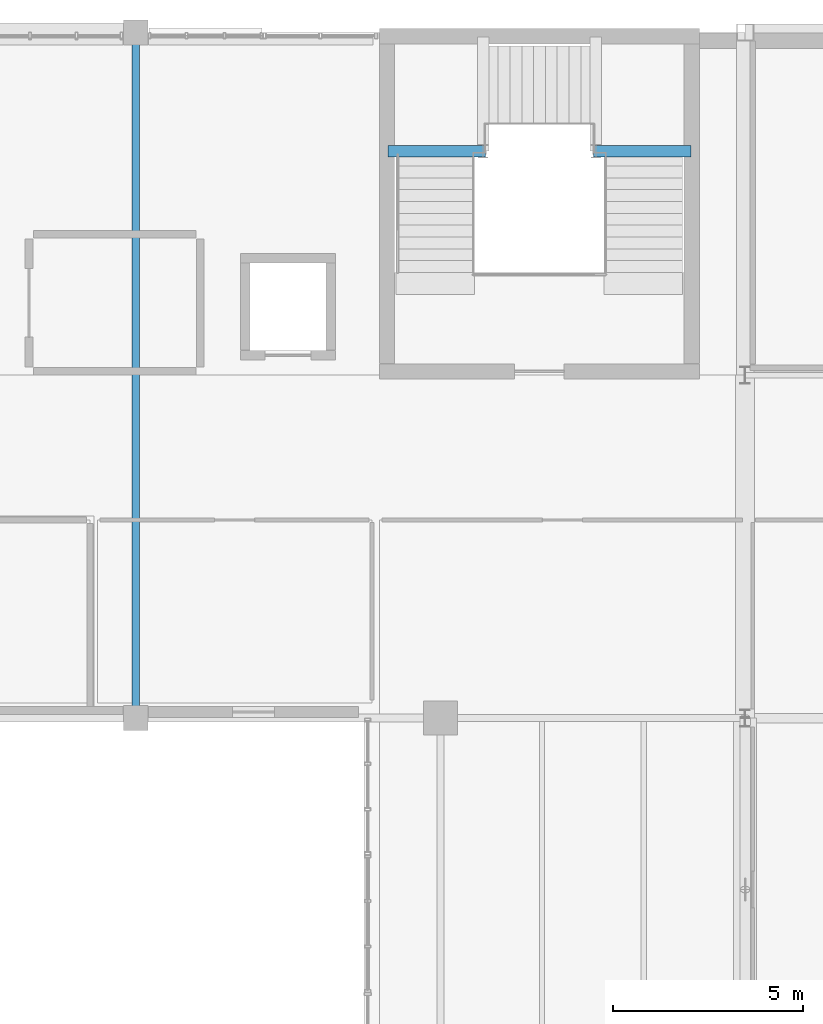
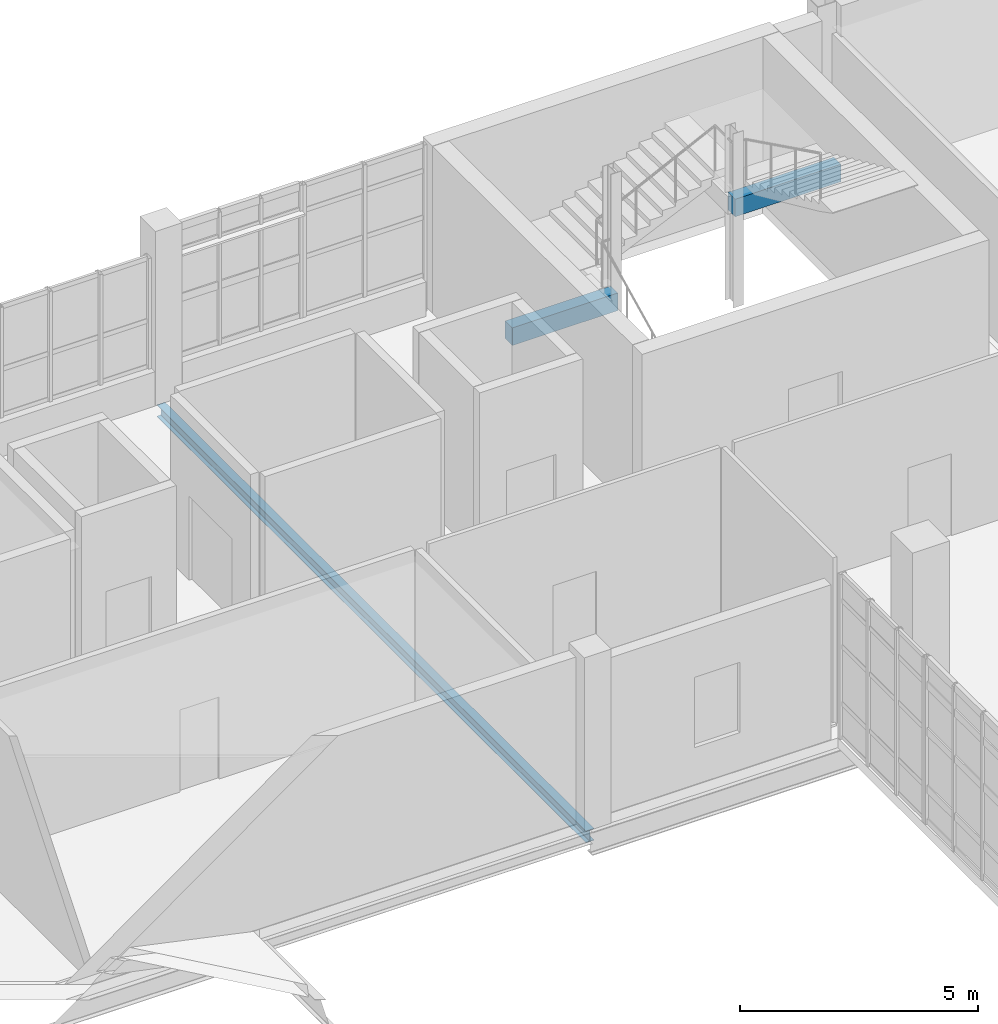
# One storey, part 17 of 38: 3 beams.
"""IFC4 building model written with IfcOpenShell, lengths in metres."""

from ifc_helpers import new_model, si_unit, derived_unit, direction, frame, origin, origin_2d, place, context, subcontext, project, spatial, rectangle, i_section, extrude, material, material_profile, profile_set, type_object, element, save


model = new_model("IFC4")

# Units and contexts
model_context = context("Model", 3, precision=1e-05, world=origin(), true_north=direction((0.0, 1.0)))
body_context = subcontext(model_context, "Body", "Model", "MODEL_VIEW")
ifc_project = project(units=[si_unit("LENGTHUNIT", "METRE"), si_unit("AREAUNIT", "SQUARE_METRE"), si_unit("VOLUMEUNIT", "CUBIC_METRE"), si_unit("PLANEANGLEUNIT", "RADIAN"), si_unit("MASSUNIT", "GRAM", prefix="KILO"), derived_unit("THERMALTRANSMITTANCEUNIT", [(si_unit("POWERUNIT", "WATT"), 1), (si_unit("LENGTHUNIT", "METRE"), -2), (si_unit("THERMODYNAMICTEMPERATUREUNIT", "KELVIN"), -1)])], contexts=[model_context])

# Site, building, storey
site_placement = place(None, origin())
site = spatial("IfcSite", under=ifc_project, at=site_placement, CompositionType="ELEMENT")
building_placement = place(site_placement, origin())
building = spatial("IfcBuilding", under=site, at=building_placement, Name="Nallur Shell Playhouse", CompositionType="ELEMENT")
storey_placement = place(building_placement, frame((0.0, 0.0, 24.300048828125)))
storey = spatial("IfcBuildingStorey", under=building, at=storey_placement, Name="L06", CompositionType="ELEMENT", Elevation=24.300048828125)

# Beams
ifc_material_1 = material(Name="Concrete M35", Category="concrete")
ifc_material_profile_1 = material_profile(ifc_material_1, rectangle(XDim=0.300048828125, YDim=0.449951171875, at=origin_2d()), Name="RC 300x450")
ifc_profile_set_1 = profile_set([ifc_material_profile_1], Name="Concrete M35")
beam_type_1 = type_object("IfcBeamType", Name="BM-SPN-300x450", PredefinedType="SPANDREL", material=ifc_profile_set_1)
beam_1_placement = place(storey_placement, frame((54.6201171875, 79.8798828125, 1.121826171875), z_axis=(1.0, 0.0, 0.0), x_axis=(0.0, 1.0, 0.0)))
element("IfcBeam", 1, at=beam_1_placement, inside=storey, type_object=beam_type_1, Name="Stair ST-03-L06 L1 south bearer beam", PredefinedType="SPANDREL", context=body_context, shape_type="SweptSolid", body=[
    extrude(rectangle(XDim=0.300048828125, YDim=0.449951171875, at=origin_2d()), origin(), (0.0, 0.0, 1.0), 2.559814453125),
])
beam_2_placement = place(storey_placement, frame((60.02001953125, 79.8798828125, 2.528076171875), z_axis=(1.0, 0.0, 0.0), x_axis=(0.0, 1.0, 0.0)))
element("IfcBeam", 2, at=beam_2_placement, inside=storey, type_object=beam_type_1, Name="Stair ST-03-L06 L2 south bearer beam", PredefinedType="SPANDREL", context=body_context, shape_type="SweptSolid", body=[
    extrude(rectangle(XDim=0.300048828125, YDim=0.449951171875, at=origin_2d()), origin(), (0.0, 0.0, 1.0), 2.56005859375),
])
ifc_material_2 = material(Name="Steel E250", Category="steel")
ifc_material_profile_2 = material_profile(ifc_material_2, i_section(OverallWidth=0.199951171875, OverallDepth=0.300048828125, WebThickness=0.00732421875, FlangeThickness=0.010009765625, FilletRadius=0.010986328125, at=origin_2d()), Name="ISWB 300")
ifc_profile_set_2 = profile_set([ifc_material_profile_2], Name="Steel E250")
beam_type_2 = type_object("IfcBeamType", Name="BM-ST-ISWB300", PredefinedType="BEAM", material=ifc_profile_set_2)
beam_3_placement = place(storey_placement, frame((48.0, 65.0, -0.400146484375), z_axis=(0.0, 1.0, 0.0), x_axis=(-1.0, 0.0, 0.0)))
element("IfcBeam", 3, at=beam_3_placement, inside=storey, type_object=beam_type_2, Name="L06 girder Y-6-1175", PredefinedType="BEAM", context=body_context, shape_type="SweptSolid", body=[
    extrude(i_section(OverallWidth=0.199951171875, OverallDepth=0.300048828125, WebThickness=0.00732421875, FlangeThickness=0.010009765625, FilletRadius=0.010986328125, at=origin_2d()), origin(), (0.0, 0.0, 1.0), 18.0),
])

save(model, "model.ifc")
